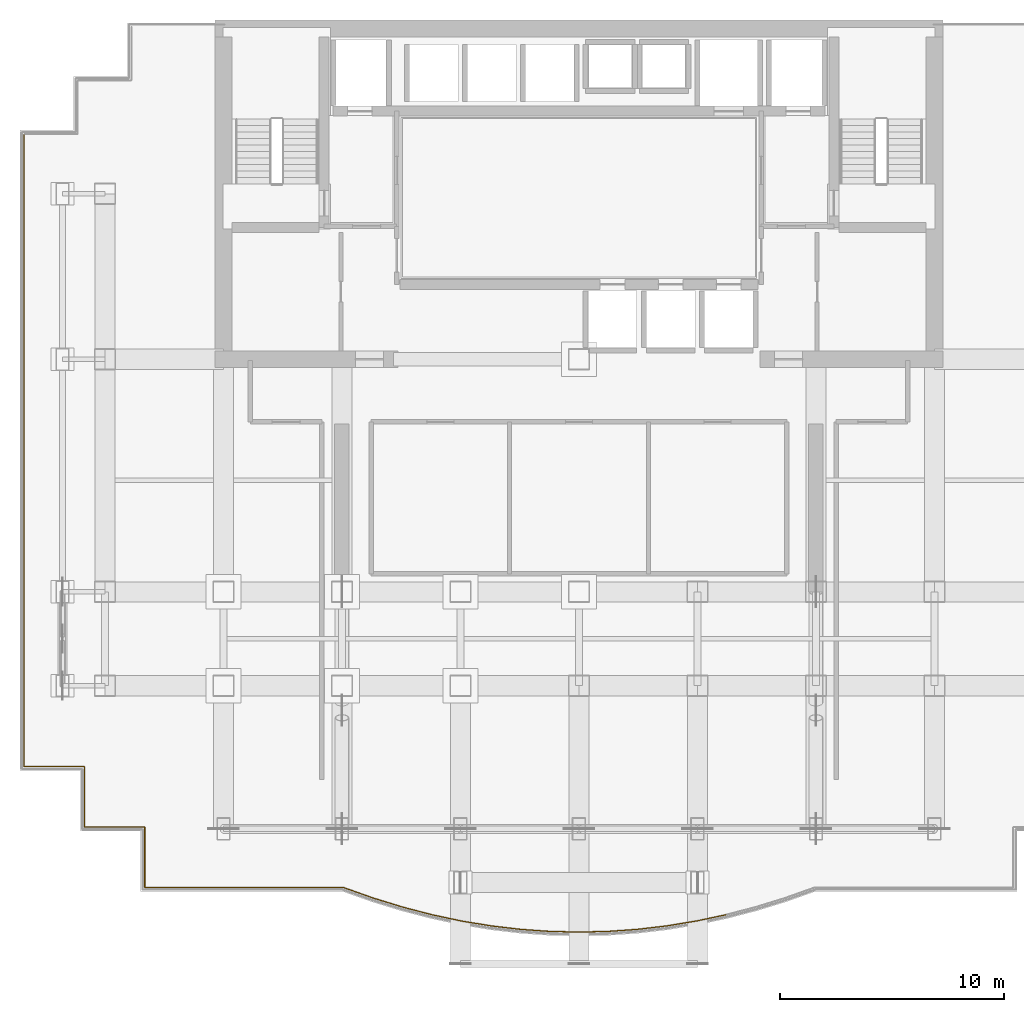
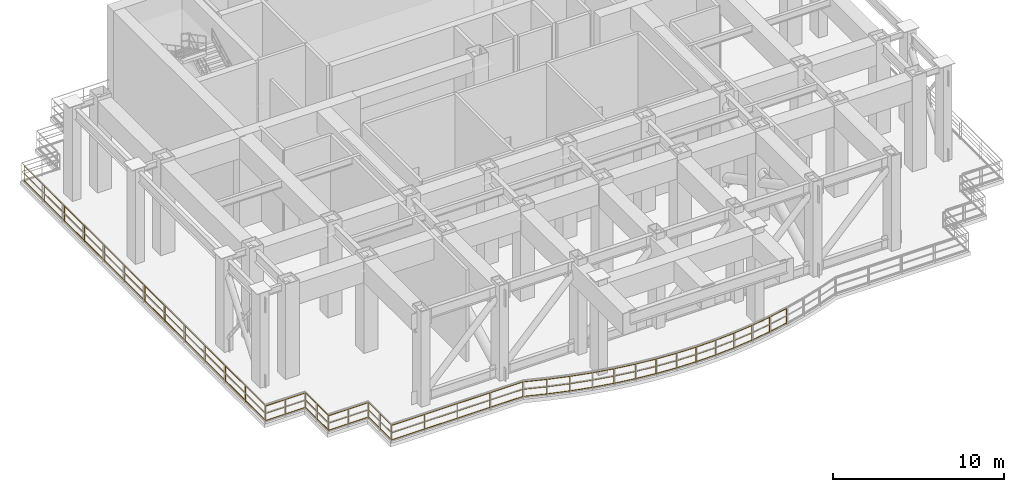
# One storey, part 6 of 8: 19 railings.
"""IFC4 building model written with IfcOpenShell, lengths in metres."""

from ifc_helpers import new_model, si_unit, direction, frame, origin, origin_2d, place, context, subcontext, project, spatial, circle, extrude, material, type_object, element, save


model = new_model("IFC4")

# Units and contexts
model_context = context("Model", 3, precision=1e-05, world=origin(), true_north=direction((0.0, 1.0)))
body_context = subcontext(model_context, "Body", "Model", "MODEL_VIEW")
ifc_project = project(units=[si_unit("LENGTHUNIT", "METRE"), si_unit("AREAUNIT", "SQUARE_METRE"), si_unit("VOLUMEUNIT", "CUBIC_METRE"), si_unit("PLANEANGLEUNIT", "RADIAN"), si_unit("MASSUNIT", "GRAM", prefix="KILO")], contexts=[model_context])

# Site, building, storey
site_placement = place(None, origin())
site = spatial("IfcSite", under=ifc_project, at=site_placement, CompositionType="ELEMENT")
building_placement = place(site_placement, origin())
building = spatial("IfcBuilding", under=site, at=building_placement, Name="Qianlan Lanfeng Residences", CompositionType="ELEMENT")
storey_placement = place(building_placement, frame((0.0, 0.0, 127.89990234375)))
storey = spatial("IfcBuildingStorey", under=building, at=storey_placement, Name="L35", CompositionType="ELEMENT", Elevation=127.89990234375)

# Railings
ifc_material = material(Name="Painted Galvanised Steel Guardrail", Category="steel")
railing_type = type_object("IfcRailingType", Name="GR-ST-1120", PredefinedType="GUARDRAIL", material=ifc_material)
railing_1_placement = place(storey_placement, frame((1.679931640625, 6.97998046875, 0.0)))
element("IfcRailing", 1, at=railing_1_placement, inside=storey, type_object=railing_type, Name="L35 Wind-Slot Open Perimeter Guardrail 1", PredefinedType="GUARDRAIL", context=body_context, shape_type="SweptSolid", body=[
    extrude(circle(Radius=0.02392578125, at=origin_2d()), frame((0.0, 0.0, 0.083984375), z_axis=(0.0, 1.0, 0.0), x_axis=(-1.0, 0.0, 0.0)), (0.0, 0.0, 1.0), 28.2900390625),
    extrude(circle(Radius=0.02392578125, at=origin_2d()), frame((0.0, 0.0, 0.597900390625), z_axis=(0.0, 1.0, 0.0), x_axis=(-1.0, 0.0, 0.0)), (0.0, 0.0, 1.0), 28.2900390625),
    extrude(circle(Radius=0.02392578125, at=origin_2d()), frame((0.0, 0.0, 1.1259765625), z_axis=(0.0, 1.0, 0.0), x_axis=(-1.0, 0.0, 0.0)), (0.0, 0.0, 1.0), 28.2900390625),
    extrude(circle(Radius=0.02099609375, at=origin_2d()), origin(), (0.0, 0.0, 1.0), 1.101806640625),
    extrude(circle(Radius=0.02099609375, at=origin_2d()), frame((0.0, 2.357421875, 0.0)), (0.0, 0.0, 1.0), 1.101806640625),
    extrude(circle(Radius=0.02099609375, at=origin_2d()), frame((0.0, 4.715087890625, 0.0)), (0.0, 0.0, 1.0), 1.101806640625),
    extrude(circle(Radius=0.02099609375, at=origin_2d()), frame((0.0, 7.072509765625, 0.0)), (0.0, 0.0, 1.0), 1.101806640625),
    extrude(circle(Radius=0.02099609375, at=origin_2d()), frame((0.0, 9.429931640625, 0.0)), (0.0, 0.0, 1.0), 1.101806640625),
    extrude(circle(Radius=0.02099609375, at=origin_2d()), frame((0.0, 11.78759765625, 0.0)), (0.0, 0.0, 1.0), 1.101806640625),
    extrude(circle(Radius=0.02099609375, at=origin_2d()), frame((0.0, 14.14501953125, 0.0)), (0.0, 0.0, 1.0), 1.101806640625),
    extrude(circle(Radius=0.02099609375, at=origin_2d()), frame((0.0, 16.50244140625, 0.0)), (0.0, 0.0, 1.0), 1.101806640625),
    extrude(circle(Radius=0.02099609375, at=origin_2d()), frame((0.0, 18.860107421875, 0.0)), (0.0, 0.0, 1.0), 1.101806640625),
    extrude(circle(Radius=0.02099609375, at=origin_2d()), frame((0.0, 21.217529296875, 0.0)), (0.0, 0.0, 1.0), 1.101806640625),
    extrude(circle(Radius=0.02099609375, at=origin_2d()), frame((0.0, 23.574951171875, 0.0)), (0.0, 0.0, 1.0), 1.101806640625),
    extrude(circle(Radius=0.02099609375, at=origin_2d()), frame((0.0, 25.9326171875, 0.0)), (0.0, 0.0, 1.0), 1.101806640625),
    extrude(circle(Radius=0.02099609375, at=origin_2d()), frame((0.0, 28.2900390625, 0.0)), (0.0, 0.0, 1.0), 1.101806640625),
])
railing_2_placement = place(storey_placement, frame((33.071044921875, 0.35595703125, 0.0)))
element("IfcRailing", 2, at=railing_2_placement, inside=storey, type_object=railing_type, Name="L35 Wind-Slot Open Perimeter Guardrail 19", PredefinedType="GUARDRAIL", context=body_context, shape_type="SweptSolid", body=[
    extrude(circle(Radius=0.02392578125, at=origin_2d()), frame((0.0, 0.0, 0.083984375), z_axis=(-0.978183787424, -0.207741372915, 0.0), x_axis=(0.207741372915, -0.978183787424, 0.0)), (0.0, 0.0, 1.0), 1.34326171875),
    extrude(circle(Radius=0.02392578125, at=origin_2d()), frame((0.0, 0.0, 0.597900390625), z_axis=(-0.978183787424, -0.207741372915, 0.0), x_axis=(0.207741372915, -0.978183787424, 0.0)), (0.0, 0.0, 1.0), 1.34326171875),
    extrude(circle(Radius=0.02392578125, at=origin_2d()), frame((0.0, 0.0, 1.1259765625), z_axis=(-0.978183787424, -0.207741372915, 0.0), x_axis=(0.207741372915, -0.978183787424, 0.0)), (0.0, 0.0, 1.0), 1.34326171875),
    extrude(circle(Radius=0.02099609375, at=origin_2d()), origin(), (0.0, 0.0, 1.0), 1.101806640625),
    extrude(circle(Radius=0.02099609375, at=origin_2d()), frame((-1.31396484375, -0.279052734375, 0.0)), (0.0, 0.0, 1.0), 1.101806640625),
])
railing_3_placement = place(storey_placement, frame((31.757080078125, 0.076904296875, 0.0)))
element("IfcRailing", 3, at=railing_3_placement, inside=storey, type_object=railing_type, Name="L35 Wind-Slot Open Perimeter Guardrail 20", PredefinedType="GUARDRAIL", context=body_context, shape_type="SweptSolid", body=[
    extrude(circle(Radius=0.02392578125, at=origin_2d()), frame((0.0, 0.0, 0.083984375), z_axis=(-0.986537084486, -0.163537704928, 0.0), x_axis=(0.163537704928, -0.986537084486, 0.0)), (0.0, 0.0, 1.0), 1.333251953125),
    extrude(circle(Radius=0.02392578125, at=origin_2d()), frame((0.0, 0.0, 0.597900390625), z_axis=(-0.986537084486, -0.163537704928, 0.0), x_axis=(0.163537704928, -0.986537084486, 0.0)), (0.0, 0.0, 1.0), 1.333251953125),
    extrude(circle(Radius=0.02392578125, at=origin_2d()), frame((0.0, 0.0, 1.1259765625), z_axis=(-0.986537084486, -0.163537704928, 0.0), x_axis=(0.163537704928, -0.986537084486, 0.0)), (0.0, 0.0, 1.0), 1.333251953125),
    extrude(circle(Radius=0.02099609375, at=origin_2d()), origin(), (0.0, 0.0, 1.0), 1.101806640625),
    extrude(circle(Radius=0.02099609375, at=origin_2d()), frame((-1.315185546875, -0.218017578125, 0.0)), (0.0, 0.0, 1.0), 1.101806640625),
])
railing_4_placement = place(storey_placement, frame((30.44189453125, -0.14111328125, 0.0)))
element("IfcRailing", 4, at=railing_4_placement, inside=storey, type_object=railing_type, Name="L35 Wind-Slot Open Perimeter Guardrail 21", PredefinedType="GUARDRAIL", context=body_context, shape_type="SweptSolid", body=[
    extrude(circle(Radius=0.02392578125, at=origin_2d()), frame((0.0, 0.0, 0.083984375), z_axis=(-0.993132958879, -0.116991136367, 0.0), x_axis=(0.116991136367, -0.993132958879, 0.0)), (0.0, 0.0, 1.0), 1.322998046875),
    extrude(circle(Radius=0.02392578125, at=origin_2d()), frame((0.0, 0.0, 0.597900390625), z_axis=(-0.993132958879, -0.116991136367, 0.0), x_axis=(0.116991136367, -0.993132958879, 0.0)), (0.0, 0.0, 1.0), 1.322998046875),
    extrude(circle(Radius=0.02392578125, at=origin_2d()), frame((0.0, 0.0, 1.1259765625), z_axis=(-0.993132958879, -0.116991136367, 0.0), x_axis=(0.116991136367, -0.993132958879, 0.0)), (0.0, 0.0, 1.0), 1.322998046875),
    extrude(circle(Radius=0.02099609375, at=origin_2d()), origin(), (0.0, 0.0, 1.0), 1.101806640625),
    extrude(circle(Radius=0.02099609375, at=origin_2d()), frame((-1.31396484375, -0.15478515625, 0.0)), (0.0, 0.0, 1.0), 1.101806640625),
])
railing_5_placement = place(storey_placement, frame((29.1279296875, -0.2958984375, 0.0)))
element("IfcRailing", 5, at=railing_5_placement, inside=storey, type_object=railing_type, Name="L35 Wind-Slot Open Perimeter Guardrail 22", PredefinedType="GUARDRAIL", context=body_context, shape_type="SweptSolid", body=[
    extrude(circle(Radius=0.02392578125, at=origin_2d()), frame((0.0, 0.0, 0.083984375), z_axis=(-0.997503658621, -0.070614807494, 0.0), x_axis=(0.070614807494, -0.997503658621, 0.0)), (0.0, 0.0, 1.0), 1.317138671875),
    extrude(circle(Radius=0.02392578125, at=origin_2d()), frame((0.0, 0.0, 0.597900390625), z_axis=(-0.997503658621, -0.070614807494, 0.0), x_axis=(0.070614807494, -0.997503658621, 0.0)), (0.0, 0.0, 1.0), 1.317138671875),
    extrude(circle(Radius=0.02392578125, at=origin_2d()), frame((0.0, 0.0, 1.1259765625), z_axis=(-0.997503658621, -0.070614807494, 0.0), x_axis=(0.070614807494, -0.997503658621, 0.0)), (0.0, 0.0, 1.0), 1.317138671875),
    extrude(circle(Radius=0.02099609375, at=origin_2d()), origin(), (0.0, 0.0, 1.0), 1.101806640625),
    extrude(circle(Radius=0.02099609375, at=origin_2d()), frame((-1.31396484375, -0.093017578125, 0.0)), (0.0, 0.0, 1.0), 1.101806640625),
])
railing_6_placement = place(storey_placement, frame((27.81396484375, -0.388916015625, 0.0)))
element("IfcRailing", 6, at=railing_6_placement, inside=storey, type_object=railing_type, Name="L35 Wind-Slot Open Perimeter Guardrail 23", PredefinedType="GUARDRAIL", context=body_context, shape_type="SweptSolid", body=[
    extrude(circle(Radius=0.02392578125, at=origin_2d()), frame((0.0, 0.0, 0.083984375), z_axis=(-0.999721702865, -0.023590608745, 0.0), x_axis=(0.023590608745, -0.999721702865, 0.0)), (0.0, 0.0, 1.0), 1.314208984375),
    extrude(circle(Radius=0.02392578125, at=origin_2d()), frame((0.0, 0.0, 0.597900390625), z_axis=(-0.999721702865, -0.023590608745, 0.0), x_axis=(0.023590608745, -0.999721702865, 0.0)), (0.0, 0.0, 1.0), 1.314208984375),
    extrude(circle(Radius=0.02392578125, at=origin_2d()), frame((0.0, 0.0, 1.1259765625), z_axis=(-0.999721702865, -0.023590608745, 0.0), x_axis=(0.023590608745, -0.999721702865, 0.0)), (0.0, 0.0, 1.0), 1.314208984375),
    extrude(circle(Radius=0.02099609375, at=origin_2d()), origin(), (0.0, 0.0, 1.0), 1.101806640625),
    extrude(circle(Radius=0.02099609375, at=origin_2d()), frame((-1.31396484375, -0.031005859375, 0.0)), (0.0, 0.0, 1.0), 1.101806640625),
])
railing_7_placement = place(storey_placement, frame((26.5, -0.419921875, 0.0)))
element("IfcRailing", 7, at=railing_7_placement, inside=storey, type_object=railing_type, Name="L35 Wind-Slot Open Perimeter Guardrail 24", PredefinedType="GUARDRAIL", context=body_context, shape_type="SweptSolid", body=[
    extrude(circle(Radius=0.02392578125, at=origin_2d()), frame((0.0, 0.0, 0.083984375), z_axis=(-0.999722115903, 0.023573098537, 0.0), x_axis=(-0.023573098537, -0.999722115903, 0.0)), (0.0, 0.0, 1.0), 1.315185546875),
    extrude(circle(Radius=0.02392578125, at=origin_2d()), frame((0.0, 0.0, 0.597900390625), z_axis=(-0.999722115903, 0.023573098537, 0.0), x_axis=(-0.023573098537, -0.999722115903, 0.0)), (0.0, 0.0, 1.0), 1.315185546875),
    extrude(circle(Radius=0.02392578125, at=origin_2d()), frame((0.0, 0.0, 1.1259765625), z_axis=(-0.999722115903, 0.023573098537, 0.0), x_axis=(-0.023573098537, -0.999722115903, 0.0)), (0.0, 0.0, 1.0), 1.315185546875),
    extrude(circle(Radius=0.02099609375, at=origin_2d()), origin(), (0.0, 0.0, 1.0), 1.101806640625),
    extrude(circle(Radius=0.02099609375, at=origin_2d()), frame((-1.31494140625, 0.031005859375, 0.0)), (0.0, 0.0, 1.0), 1.101806640625),
])
railing_8_placement = place(storey_placement, frame((25.18505859375, -0.388916015625, 0.0)))
element("IfcRailing", 8, at=railing_8_placement, inside=storey, type_object=railing_type, Name="L35 Wind-Slot Open Perimeter Guardrail 25", PredefinedType="GUARDRAIL", context=body_context, shape_type="SweptSolid", body=[
    extrude(circle(Radius=0.02392578125, at=origin_2d()), frame((0.0, 0.0, 0.083984375), z_axis=(-0.997499957747, 0.070667066549, 0.0), x_axis=(-0.070667066549, -0.997499957747, 0.0)), (0.0, 0.0, 1.0), 1.316162109375),
    extrude(circle(Radius=0.02392578125, at=origin_2d()), frame((0.0, 0.0, 0.597900390625), z_axis=(-0.997499957747, 0.070667066549, 0.0), x_axis=(-0.070667066549, -0.997499957747, 0.0)), (0.0, 0.0, 1.0), 1.316162109375),
    extrude(circle(Radius=0.02392578125, at=origin_2d()), frame((0.0, 0.0, 1.1259765625), z_axis=(-0.997499957747, 0.070667066549, 0.0), x_axis=(-0.070667066549, -0.997499957747, 0.0)), (0.0, 0.0, 1.0), 1.316162109375),
    extrude(circle(Radius=0.02099609375, at=origin_2d()), origin(), (0.0, 0.0, 1.0), 1.101806640625),
    extrude(circle(Radius=0.02099609375, at=origin_2d()), frame((-1.31298828125, 0.093017578125, 0.0)), (0.0, 0.0, 1.0), 1.101806640625),
])
railing_9_placement = place(storey_placement, frame((23.8720703125, -0.2958984375, 0.0)))
element("IfcRailing", 9, at=railing_9_placement, inside=storey, type_object=railing_type, Name="L35 Wind-Slot Open Perimeter Guardrail 26", PredefinedType="GUARDRAIL", context=body_context, shape_type="SweptSolid", body=[
    extrude(circle(Radius=0.02392578125, at=origin_2d()), frame((0.0, 0.0, 0.083984375), z_axis=(-0.99314556969, 0.116884034005, 0.0), x_axis=(-0.116884034005, -0.99314556969, 0.0)), (0.0, 0.0, 1.0), 1.32421875),
    extrude(circle(Radius=0.02392578125, at=origin_2d()), frame((0.0, 0.0, 0.597900390625), z_axis=(-0.99314556969, 0.116884034005, 0.0), x_axis=(-0.116884034005, -0.99314556969, 0.0)), (0.0, 0.0, 1.0), 1.32421875),
    extrude(circle(Radius=0.02392578125, at=origin_2d()), frame((0.0, 0.0, 1.1259765625), z_axis=(-0.99314556969, 0.116884034005, 0.0), x_axis=(-0.116884034005, -0.99314556969, 0.0)), (0.0, 0.0, 1.0), 1.32421875),
    extrude(circle(Radius=0.02099609375, at=origin_2d()), origin(), (0.0, 0.0, 1.0), 1.101806640625),
    extrude(circle(Radius=0.02099609375, at=origin_2d()), frame((-1.315185546875, 0.15478515625, 0.0)), (0.0, 0.0, 1.0), 1.101806640625),
])
railing_10_placement = place(storey_placement, frame((22.556884765625, -0.14111328125, 0.0)))
element("IfcRailing", 10, at=railing_10_placement, inside=storey, type_object=railing_type, Name="L35 Wind-Slot Open Perimeter Guardrail 27", PredefinedType="GUARDRAIL", context=body_context, shape_type="SweptSolid", body=[
    extrude(circle(Radius=0.02392578125, at=origin_2d()), frame((0.0, 0.0, 0.083984375), z_axis=(-0.986512562197, 0.16368556634, 0.0), x_axis=(-0.16368556634, -0.986512562197, 0.0)), (0.0, 0.0, 1.0), 1.33203125),
    extrude(circle(Radius=0.02392578125, at=origin_2d()), frame((0.0, 0.0, 0.597900390625), z_axis=(-0.986512562197, 0.16368556634, 0.0), x_axis=(-0.16368556634, -0.986512562197, 0.0)), (0.0, 0.0, 1.0), 1.33203125),
    extrude(circle(Radius=0.02392578125, at=origin_2d()), frame((0.0, 0.0, 1.1259765625), z_axis=(-0.986512562197, 0.16368556634, 0.0), x_axis=(-0.16368556634, -0.986512562197, 0.0)), (0.0, 0.0, 1.0), 1.33203125),
    extrude(circle(Radius=0.02099609375, at=origin_2d()), origin(), (0.0, 0.0, 1.0), 1.101806640625),
    extrude(circle(Radius=0.02099609375, at=origin_2d()), frame((-1.31396484375, 0.218017578125, 0.0)), (0.0, 0.0, 1.0), 1.101806640625),
])
railing_11_placement = place(storey_placement, frame((21.242919921875, 0.076904296875, 0.0)))
element("IfcRailing", 11, at=railing_11_placement, inside=storey, type_object=railing_type, Name="L35 Wind-Slot Open Perimeter Guardrail 28", PredefinedType="GUARDRAIL", context=body_context, shape_type="SweptSolid", body=[
    extrude(circle(Radius=0.02392578125, at=origin_2d()), frame((0.0, 0.0, 0.083984375), z_axis=(-0.978215128917, 0.207593741617, 0.0), x_axis=(-0.207593741617, -0.978215128917, 0.0)), (0.0, 0.0, 1.0), 1.34423828125),
    extrude(circle(Radius=0.02392578125, at=origin_2d()), frame((0.0, 0.0, 0.597900390625), z_axis=(-0.978215128917, 0.207593741617, 0.0), x_axis=(-0.207593741617, -0.978215128917, 0.0)), (0.0, 0.0, 1.0), 1.34423828125),
    extrude(circle(Radius=0.02392578125, at=origin_2d()), frame((0.0, 0.0, 1.1259765625), z_axis=(-0.978215128917, 0.207593741617, 0.0), x_axis=(-0.207593741617, -0.978215128917, 0.0)), (0.0, 0.0, 1.0), 1.34423828125),
    extrude(circle(Radius=0.02099609375, at=origin_2d()), origin(), (0.0, 0.0, 1.0), 1.101806640625),
    extrude(circle(Radius=0.02099609375, at=origin_2d()), frame((-1.31494140625, 0.279052734375, 0.0)), (0.0, 0.0, 1.0), 1.101806640625),
])
railing_12_placement = place(storey_placement, frame((19.927978515625, 0.35595703125, 0.0)))
element("IfcRailing", 12, at=railing_12_placement, inside=storey, type_object=railing_type, Name="L35 Wind-Slot Open Perimeter Guardrail 29", PredefinedType="GUARDRAIL", context=body_context, shape_type="SweptSolid", body=[
    extrude(circle(Radius=0.02392578125, at=origin_2d()), frame((0.0, 0.0, 0.083984375), z_axis=(-0.967748896729, 0.251916797532, 0.0), x_axis=(-0.251916797532, -0.967748896729, 0.0)), (0.0, 0.0, 1.0), 1.357666015625),
    extrude(circle(Radius=0.02392578125, at=origin_2d()), frame((0.0, 0.0, 0.597900390625), z_axis=(-0.967748896729, 0.251916797532, 0.0), x_axis=(-0.251916797532, -0.967748896729, 0.0)), (0.0, 0.0, 1.0), 1.357666015625),
    extrude(circle(Radius=0.02392578125, at=origin_2d()), frame((0.0, 0.0, 1.1259765625), z_axis=(-0.967748896729, 0.251916797532, 0.0), x_axis=(-0.251916797532, -0.967748896729, 0.0)), (0.0, 0.0, 1.0), 1.357666015625),
    extrude(circle(Radius=0.02099609375, at=origin_2d()), origin(), (0.0, 0.0, 1.0), 1.101806640625),
    extrude(circle(Radius=0.02099609375, at=origin_2d()), frame((-1.31396484375, 0.342041015625, 0.0)), (0.0, 0.0, 1.0), 1.101806640625),
])
railing_13_placement = place(storey_placement, frame((18.614013671875, 0.697998046875, 0.0)))
element("IfcRailing", 13, at=railing_13_placement, inside=storey, type_object=railing_type, Name="L35 Wind-Slot Open Perimeter Guardrail 30", PredefinedType="GUARDRAIL", context=body_context, shape_type="SweptSolid", body=[
    extrude(circle(Radius=0.02392578125, at=origin_2d()), frame((0.0, 0.0, 0.083984375), z_axis=(-0.955890223065, 0.293724158777, 0.0), x_axis=(-0.293724158777, -0.955890223065, 0.0)), (0.0, 0.0, 1.0), 1.375732421875),
    extrude(circle(Radius=0.02392578125, at=origin_2d()), frame((0.0, 0.0, 0.597900390625), z_axis=(-0.955890223065, 0.293724158777, 0.0), x_axis=(-0.293724158777, -0.955890223065, 0.0)), (0.0, 0.0, 1.0), 1.375732421875),
    extrude(circle(Radius=0.02392578125, at=origin_2d()), frame((0.0, 0.0, 1.1259765625), z_axis=(-0.955890223065, 0.293724158777, 0.0), x_axis=(-0.293724158777, -0.955890223065, 0.0)), (0.0, 0.0, 1.0), 1.375732421875),
    extrude(circle(Radius=0.02099609375, at=origin_2d()), origin(), (0.0, 0.0, 1.0), 1.101806640625),
    extrude(circle(Radius=0.02099609375, at=origin_2d()), frame((-1.31494140625, 0.404052734375, 0.0)), (0.0, 0.0, 1.0), 1.101806640625),
])
railing_14_placement = place(storey_placement, frame((17.299072265625, 1.10205078125, 0.0)))
element("IfcRailing", 14, at=railing_14_placement, inside=storey, type_object=railing_type, Name="L35 Wind-Slot Open Perimeter Guardrail 31", PredefinedType="GUARDRAIL", context=body_context, shape_type="SweptSolid", body=[
    extrude(circle(Radius=0.02392578125, at=origin_2d()), frame((0.0, 0.0, 0.083984375), z_axis=(-0.942504070197, 0.334194670309, 0.0), x_axis=(-0.334194670309, -0.942504070197, 0.0)), (0.0, 0.0, 1.0), 1.430419921875),
    extrude(circle(Radius=0.02392578125, at=origin_2d()), frame((0.0, 0.0, 0.597900390625), z_axis=(-0.942504070197, 0.334194670309, 0.0), x_axis=(-0.334194670309, -0.942504070197, 0.0)), (0.0, 0.0, 1.0), 1.430419921875),
    extrude(circle(Radius=0.02392578125, at=origin_2d()), frame((0.0, 0.0, 1.1259765625), z_axis=(-0.942504070197, 0.334194670309, 0.0), x_axis=(-0.334194670309, -0.942504070197, 0.0)), (0.0, 0.0, 1.0), 1.430419921875),
    extrude(circle(Radius=0.02099609375, at=origin_2d()), origin(), (0.0, 0.0, 1.0), 1.101806640625),
    extrude(circle(Radius=0.02099609375, at=origin_2d()), frame((-1.34814453125, 0.47802734375, 0.0)), (0.0, 0.0, 1.0), 1.101806640625),
])
railing_15_placement = place(storey_placement, frame((15.950927734375, 1.580078125, 0.0)))
element("IfcRailing", 15, at=railing_15_placement, inside=storey, type_object=railing_type, Name="L35 Wind-Slot Open Perimeter Guardrail 32", PredefinedType="GUARDRAIL", context=body_context, shape_type="SweptSolid", body=[
    extrude(circle(Radius=0.02392578125, at=origin_2d()), frame((0.0, 0.0, 0.083984375), z_axis=(-1.0, 0.0, 0.0), x_axis=(0.0, -1.0, 0.0)), (0.0, 0.0, 1.0), 8.870849609375),
    extrude(circle(Radius=0.02392578125, at=origin_2d()), frame((0.0, 0.0, 0.597900390625), z_axis=(-1.0, 0.0, 0.0), x_axis=(0.0, -1.0, 0.0)), (0.0, 0.0, 1.0), 8.870849609375),
    extrude(circle(Radius=0.02392578125, at=origin_2d()), frame((0.0, 0.0, 1.1259765625), z_axis=(-1.0, 0.0, 0.0), x_axis=(0.0, -1.0, 0.0)), (0.0, 0.0, 1.0), 8.870849609375),
    extrude(circle(Radius=0.02099609375, at=origin_2d()), origin(), (0.0, 0.0, 1.0), 1.101806640625),
    extrude(circle(Radius=0.02099609375, at=origin_2d()), frame((-2.2177734375, 0.0, 0.0)), (0.0, 0.0, 1.0), 1.101806640625),
    extrude(circle(Radius=0.02099609375, at=origin_2d()), frame((-4.435546875, 0.0, 0.0)), (0.0, 0.0, 1.0), 1.101806640625),
    extrude(circle(Radius=0.02099609375, at=origin_2d()), frame((-6.653076171875, 0.0, 0.0)), (0.0, 0.0, 1.0), 1.101806640625),
    extrude(circle(Radius=0.02099609375, at=origin_2d()), frame((-8.870849609375, 0.0, 0.0)), (0.0, 0.0, 1.0), 1.101806640625),
])
railing_16_placement = place(storey_placement, frame((7.080078125, 1.580078125, 0.0)))
element("IfcRailing", 16, at=railing_16_placement, inside=storey, type_object=railing_type, Name="L35 Wind-Slot Open Perimeter Guardrail 33", PredefinedType="GUARDRAIL", context=body_context, shape_type="SweptSolid", body=[
    extrude(circle(Radius=0.02392578125, at=origin_2d()), frame((0.0, 0.0, 0.083984375), z_axis=(0.0, 1.0, 0.0), x_axis=(-1.0, 0.0, 0.0)), (0.0, 0.0, 1.0), 2.699951171875),
    extrude(circle(Radius=0.02392578125, at=origin_2d()), frame((0.0, 0.0, 0.597900390625), z_axis=(0.0, 1.0, 0.0), x_axis=(-1.0, 0.0, 0.0)), (0.0, 0.0, 1.0), 2.699951171875),
    extrude(circle(Radius=0.02392578125, at=origin_2d()), frame((0.0, 0.0, 1.1259765625), z_axis=(0.0, 1.0, 0.0), x_axis=(-1.0, 0.0, 0.0)), (0.0, 0.0, 1.0), 2.699951171875),
    extrude(circle(Radius=0.02099609375, at=origin_2d()), origin(), (0.0, 0.0, 1.0), 1.101806640625),
    extrude(circle(Radius=0.02099609375, at=origin_2d()), frame((0.0, 1.35009765625, 0.0)), (0.0, 0.0, 1.0), 1.101806640625),
    extrude(circle(Radius=0.02099609375, at=origin_2d()), frame((0.0, 2.699951171875, 0.0)), (0.0, 0.0, 1.0), 1.101806640625),
])
railing_17_placement = place(storey_placement, frame((7.080078125, 4.280029296875, 0.0)))
element("IfcRailing", 17, at=railing_17_placement, inside=storey, type_object=railing_type, Name="L35 Wind-Slot Open Perimeter Guardrail 34", PredefinedType="GUARDRAIL", context=body_context, shape_type="SweptSolid", body=[
    extrude(circle(Radius=0.02392578125, at=origin_2d()), frame((0.0, 0.0, 0.083984375), z_axis=(-1.0, 0.0, 0.0), x_axis=(0.0, -1.0, 0.0)), (0.0, 0.0, 1.0), 2.7001953125),
    extrude(circle(Radius=0.02392578125, at=origin_2d()), frame((0.0, 0.0, 0.597900390625), z_axis=(-1.0, 0.0, 0.0), x_axis=(0.0, -1.0, 0.0)), (0.0, 0.0, 1.0), 2.7001953125),
    extrude(circle(Radius=0.02392578125, at=origin_2d()), frame((0.0, 0.0, 1.1259765625), z_axis=(-1.0, 0.0, 0.0), x_axis=(0.0, -1.0, 0.0)), (0.0, 0.0, 1.0), 2.7001953125),
    extrude(circle(Radius=0.02099609375, at=origin_2d()), origin(), (0.0, 0.0, 1.0), 1.101806640625),
    extrude(circle(Radius=0.02099609375, at=origin_2d()), frame((-1.35009765625, 0.0, 0.0)), (0.0, 0.0, 1.0), 1.101806640625),
    extrude(circle(Radius=0.02099609375, at=origin_2d()), frame((-2.7001953125, 0.0, 0.0)), (0.0, 0.0, 1.0), 1.101806640625),
])
railing_18_placement = place(storey_placement, frame((4.3798828125, 4.280029296875, 0.0)))
element("IfcRailing", 18, at=railing_18_placement, inside=storey, type_object=railing_type, Name="L35 Wind-Slot Open Perimeter Guardrail 35", PredefinedType="GUARDRAIL", context=body_context, shape_type="SweptSolid", body=[
    extrude(circle(Radius=0.02392578125, at=origin_2d()), frame((0.0, 0.0, 0.083984375), z_axis=(0.0, 1.0, 0.0), x_axis=(-1.0, 0.0, 0.0)), (0.0, 0.0, 1.0), 2.699951171875),
    extrude(circle(Radius=0.02392578125, at=origin_2d()), frame((0.0, 0.0, 0.597900390625), z_axis=(0.0, 1.0, 0.0), x_axis=(-1.0, 0.0, 0.0)), (0.0, 0.0, 1.0), 2.699951171875),
    extrude(circle(Radius=0.02392578125, at=origin_2d()), frame((0.0, 0.0, 1.1259765625), z_axis=(0.0, 1.0, 0.0), x_axis=(-1.0, 0.0, 0.0)), (0.0, 0.0, 1.0), 2.699951171875),
    extrude(circle(Radius=0.02099609375, at=origin_2d()), origin(), (0.0, 0.0, 1.0), 1.101806640625),
    extrude(circle(Radius=0.02099609375, at=origin_2d()), frame((0.0, 1.35009765625, 0.0)), (0.0, 0.0, 1.0), 1.101806640625),
    extrude(circle(Radius=0.02099609375, at=origin_2d()), frame((0.0, 2.699951171875, 0.0)), (0.0, 0.0, 1.0), 1.101806640625),
])
railing_19_placement = place(storey_placement, frame((4.3798828125, 6.97998046875, 0.0)))
element("IfcRailing", 19, at=railing_19_placement, inside=storey, type_object=railing_type, Name="L35 Wind-Slot Open Perimeter Guardrail 36", PredefinedType="GUARDRAIL", context=body_context, shape_type="SweptSolid", body=[
    extrude(circle(Radius=0.02392578125, at=origin_2d()), frame((0.0, 0.0, 0.083984375), z_axis=(-1.0, 0.0, 0.0), x_axis=(0.0, -1.0, 0.0)), (0.0, 0.0, 1.0), 2.699951171875),
    extrude(circle(Radius=0.02392578125, at=origin_2d()), frame((0.0, 0.0, 0.597900390625), z_axis=(-1.0, 0.0, 0.0), x_axis=(0.0, -1.0, 0.0)), (0.0, 0.0, 1.0), 2.699951171875),
    extrude(circle(Radius=0.02392578125, at=origin_2d()), frame((0.0, 0.0, 1.1259765625), z_axis=(-1.0, 0.0, 0.0), x_axis=(0.0, -1.0, 0.0)), (0.0, 0.0, 1.0), 2.699951171875),
    extrude(circle(Radius=0.02099609375, at=origin_2d()), origin(), (0.0, 0.0, 1.0), 1.101806640625),
    extrude(circle(Radius=0.02099609375, at=origin_2d()), frame((-1.35009765625, 0.0, 0.0)), (0.0, 0.0, 1.0), 1.101806640625),
    extrude(circle(Radius=0.02099609375, at=origin_2d()), frame((-2.699951171875, 0.0, 0.0)), (0.0, 0.0, 1.0), 1.101806640625),
])

save(model, "model.ifc")
